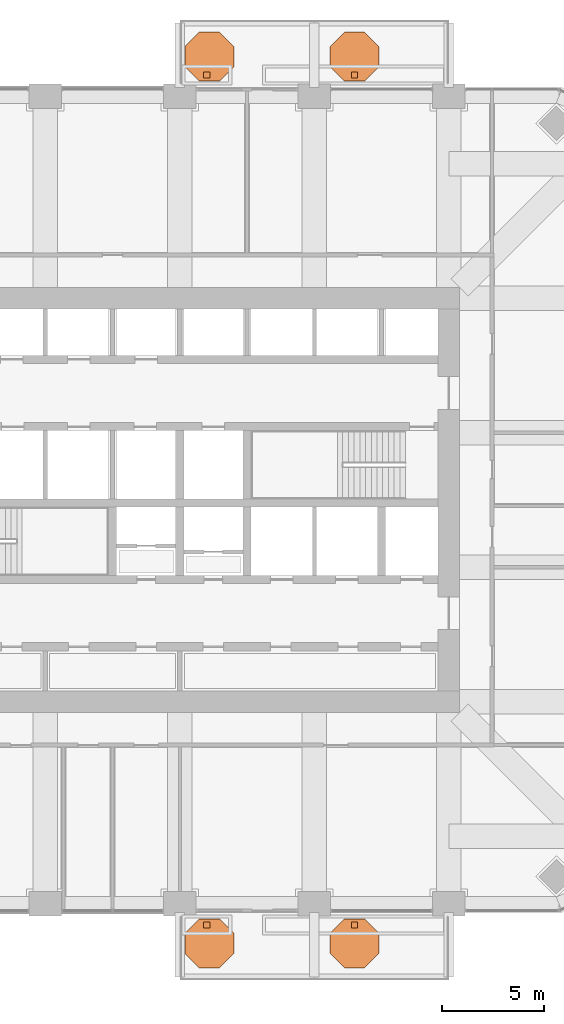
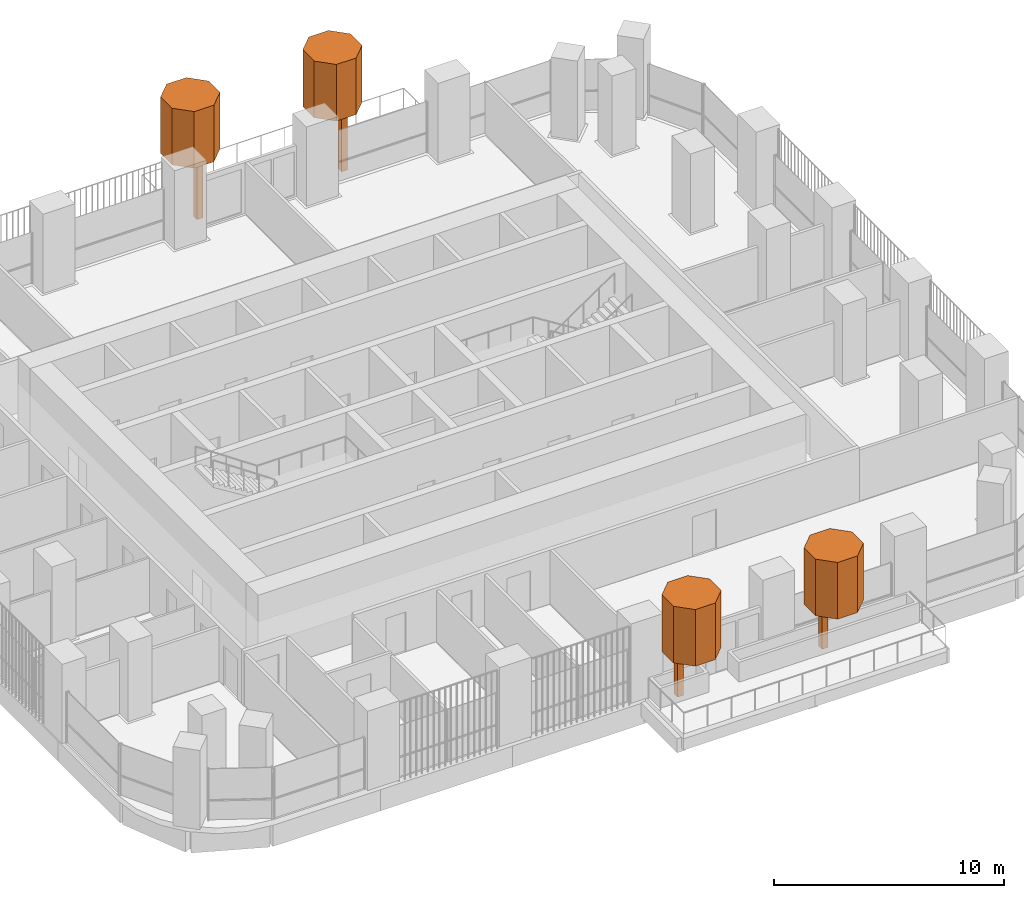
# One storey, part 19 of 19: 8 geographic elements.
"""IFC4 building model written with IfcOpenShell, lengths in metres."""

from ifc_helpers import new_model, si_unit, direction, frame, origin, origin_2d, place, context, subcontext, project, spatial, polyline, rectangle, outline, extrude, material, type_object, element, save


model = new_model("IFC4")

# Units and contexts
model_context = context("Model", 3, precision=1e-05, world=origin(), true_north=direction((0.0, 1.0)))
body_context = subcontext(model_context, "Body", "Model", "MODEL_VIEW")
ifc_project = project(units=[si_unit("LENGTHUNIT", "METRE"), si_unit("AREAUNIT", "SQUARE_METRE"), si_unit("VOLUMEUNIT", "CUBIC_METRE"), si_unit("PLANEANGLEUNIT", "RADIAN"), si_unit("MASSUNIT", "GRAM", prefix="KILO")], contexts=[model_context])

# Site, building, storey
site_placement = place(None, origin())
site = spatial("IfcSite", under=ifc_project, at=site_placement, CompositionType="ELEMENT")
building_placement = place(site_placement, origin())
building = spatial("IfcBuilding", under=site, at=building_placement, Name="Cobogo Forest Laboratory Tower", CompositionType="ELEMENT")
storey_placement = place(building_placement, frame((0.0, 0.0, 164.10009765625)))
storey = spatial("IfcBuildingStorey", under=building, at=storey_placement, Name="L37", CompositionType="ELEMENT", Elevation=164.10009765625)

# Geographic elements
ifc_material = material(Name="Planting", Category="plant")
geographic_element_type_1 = type_object("IfcGeographicElementType", Name="Tree trunk 300", PredefinedType="USERDEFINED", material=ifc_material)
for number, where, z_axis, x_axis, name in (
    (1, (27.72509765625, 2.25, 0.0), (0.0, 0.0, 1.0), (1.0, 0.0, 0.0), "Tree trunk BAL-S1-PL1 L37"),
    (2, (34.97509765625, 2.25, 0.0), (0.0, 0.0, 1.0), (1.0, 0.0, 0.0), "Tree trunk BAL-S1-PL2 L37"),
    (3, (27.72509765625, 43.949951171875, 0.0), (0.0, 0.0, 1.0), (1.0, 0.0, 0.0), "Tree trunk BAL-N1-PL1 L37"),
    (4, (34.97509765625, 43.949951171875, 0.0), (0.0, 0.0, 1.0), (1.0, 0.0, 0.0), "Tree trunk BAL-N1-PL2 L37"),
):
    element("IfcGeographicElement", number, at=place(storey_placement, frame(where, z_axis=z_axis, x_axis=x_axis)), inside=storey, type_object=geographic_element_type_1, Name=name, ObjectType="TREE TRUNK", PredefinedType="USERDEFINED", context=body_context, shape_type="SweptSolid", body=[
        extrude(rectangle(XDim=0.300048828125, YDim=0.300048828125, at=origin_2d()), origin(), (0.0, 0.0, 1.0), 2.89990234375),
    ])
geographic_element_type_2 = type_object("IfcGeographicElementType", Name="Tree, holm oak 5 m", PredefinedType="USERDEFINED", material=ifc_material)
geographic_element_1_placement = place(storey_placement, frame((0.0, 0.0, 2.89990234375)))
element("IfcGeographicElement", 5, at=geographic_element_1_placement, inside=storey, type_object=geographic_element_type_2, Name="Holm tree BAL-S1-PL1 L37", ObjectType="TREE", PredefinedType="USERDEFINED", context=body_context, shape_type="SweptSolid", body=[
    extrude(outline(polyline([(29.050048828125, 0.85302734375), (29.050048828125, 1.84716796875), (28.34716796875, 2.550048828125), (27.35302734375, 2.550048828125), (26.64990234375, 1.84716796875), (26.64990234375, 0.85302734375), (27.35302734375, 0.14990234375), (28.34716796875, 0.14990234375), (29.050048828125, 0.85302734375)])), origin(), (0.0, 0.0, 1.0), 3.0),
])
geographic_element_2_placement = place(storey_placement, frame((0.0, 0.0, 2.89990234375)))
element("IfcGeographicElement", 6, at=geographic_element_2_placement, inside=storey, type_object=geographic_element_type_2, Name="Holm tree BAL-S1-PL2 L37", ObjectType="TREE", PredefinedType="USERDEFINED", context=body_context, shape_type="SweptSolid", body=[
    extrude(outline(polyline([(36.175048828125, 0.85302734375), (36.175048828125, 1.84716796875), (35.47216796875, 2.550048828125), (34.47802734375, 2.550048828125), (33.77490234375, 1.84716796875), (33.77490234375, 0.85302734375), (34.47802734375, 0.14990234375), (35.47216796875, 0.14990234375), (36.175048828125, 0.85302734375)])), origin(), (0.0, 0.0, 1.0), 3.0),
])
geographic_element_3_placement = place(storey_placement, frame((0.0, 0.0, 2.89990234375)))
element("IfcGeographicElement", 7, at=geographic_element_3_placement, inside=storey, type_object=geographic_element_type_2, Name="Holm tree BAL-N1-PL1 L37", ObjectType="TREE", PredefinedType="USERDEFINED", context=body_context, shape_type="SweptSolid", body=[
    extrude(outline(polyline([(29.050048828125, 44.35302734375), (29.050048828125, 45.34716796875), (28.34716796875, 46.050048828125), (27.35302734375, 46.050048828125), (26.64990234375, 45.34716796875), (26.64990234375, 44.35302734375), (27.35302734375, 43.64990234375), (28.34716796875, 43.64990234375), (29.050048828125, 44.35302734375)])), origin(), (0.0, 0.0, 1.0), 3.0),
])
geographic_element_4_placement = place(storey_placement, frame((0.0, 0.0, 2.89990234375)))
element("IfcGeographicElement", 8, at=geographic_element_4_placement, inside=storey, type_object=geographic_element_type_2, Name="Holm tree BAL-N1-PL2 L37", ObjectType="TREE", PredefinedType="USERDEFINED", context=body_context, shape_type="SweptSolid", body=[
    extrude(outline(polyline([(36.175048828125, 44.35302734375), (36.175048828125, 45.34716796875), (35.47216796875, 46.050048828125), (34.47802734375, 46.050048828125), (33.77490234375, 45.34716796875), (33.77490234375, 44.35302734375), (34.47802734375, 43.64990234375), (35.47216796875, 43.64990234375), (36.175048828125, 44.35302734375)])), origin(), (0.0, 0.0, 1.0), 3.0),
])

save(model, "model.ifc")
